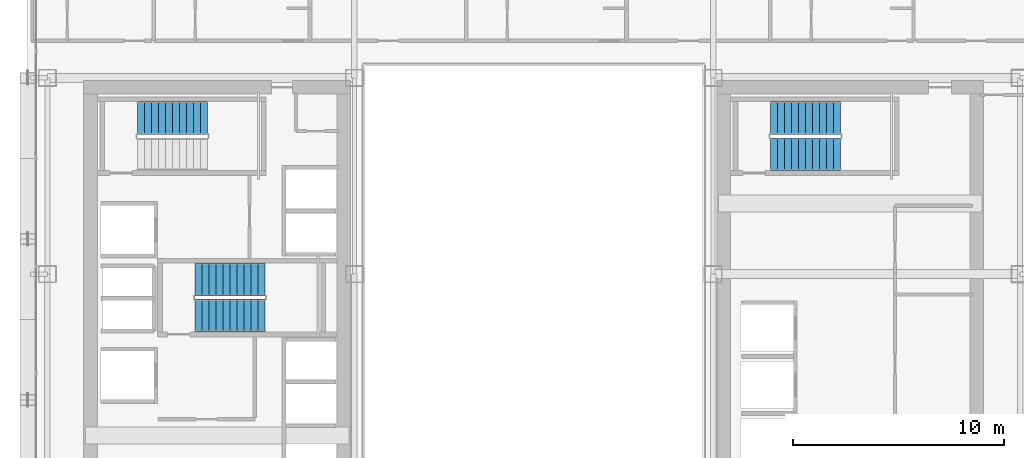
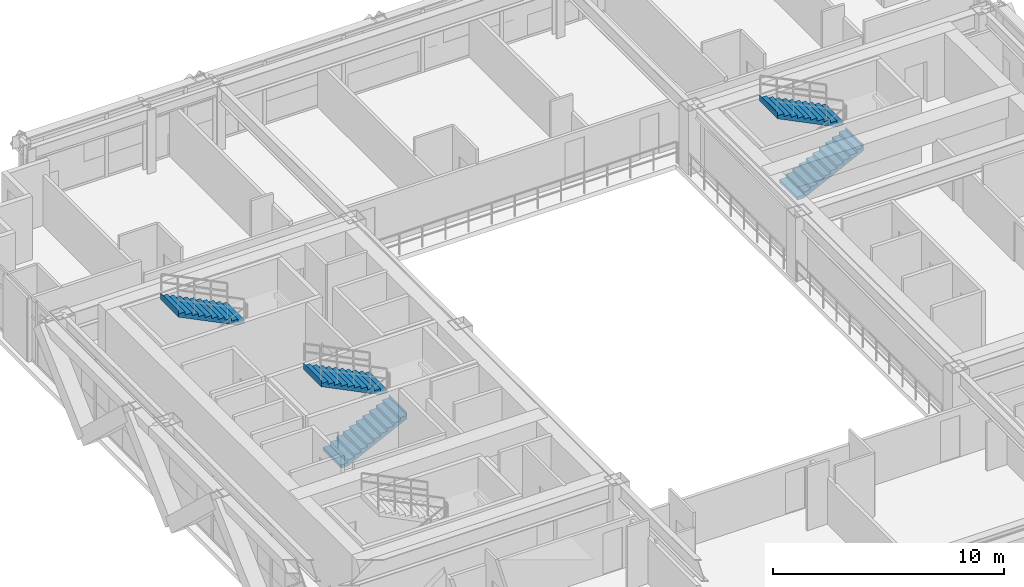
# One storey, part 31 of 35: 5 stair flights, 3 elements without a shape of their own.
"""IFC4 building model written with IfcOpenShell, lengths in metres."""

from ifc_helpers import new_model, si_unit, direction, frame, origin, place, context, subcontext, project, spatial, polyline, outline, extrude, source, transform, mapped, material, type_object, element, aggregate, save


model = new_model("IFC4")

# Units and contexts
model_context = context("Model", 3, precision=1e-05, world=origin(), true_north=direction((0.0, 1.0)))
body_context = subcontext(model_context, "Body", "Model", "MODEL_VIEW")
ifc_project = project(units=[si_unit("LENGTHUNIT", "METRE"), si_unit("AREAUNIT", "SQUARE_METRE"), si_unit("VOLUMEUNIT", "CUBIC_METRE"), si_unit("PLANEANGLEUNIT", "RADIAN"), si_unit("MASSUNIT", "GRAM", prefix="KILO")], contexts=[model_context])

# Site, building, storey
site_placement = place(None, origin())
site = spatial("IfcSite", under=ifc_project, at=site_placement, CompositionType="ELEMENT")
building_placement = place(site_placement, origin())
building = spatial("IfcBuilding", under=site, at=building_placement, Name="Ocotamira Hotel", CompositionType="ELEMENT")
storey_placement = place(building_placement, frame((0.0, 0.0, 115.199951171875)))
storey = spatial("IfcBuildingStorey", under=building, at=storey_placement, Name="L28", CompositionType="ELEMENT", Elevation=115.199951171875)

# Stair, stair flight
ifc_material = material(Name="Concrete C40/50", Category="concrete")
stair_type = type_object("IfcStairType", Name="ST-CORE-1560", PredefinedType="HALF_TURN_STAIR", material=ifc_material)
stair_1_placement = place(storey_placement, origin())
stair_1 = element("IfcStair", 1, at=stair_1_placement, inside=storey, type_object=stair_type, Name="L28 Exit Stair ST-2", PredefinedType="HALF_TURN_STAIR")
stair_flight_type = type_object("IfcStairFlightType", Name="STF-CORE-1560", PredefinedType="STRAIGHT", material=ifc_material)
shared_shape = source(origin(), body_context, "Body", "SweptSolid", [
    extrude(outline(polyline([(-0.00390625, 0.0), (-0.00390625, 0.16357421875), (0.330078125, 0.16357421875), (0.330078125, 0.327392578125), (0.659912109375, 0.327392578125), (0.659912109375, 0.490966796875), (0.989990234375, 0.490966796875), (0.989990234375, 0.654541015625), (1.320068359375, 0.654541015625), (1.320068359375, 0.818115234375), (1.64990234375, 0.818115234375), (1.64990234375, 0.98193359375), (1.97998046875, 0.98193359375), (1.97998046875, 1.1455078125), (2.31005859375, 1.1455078125), (2.31005859375, 1.30908203125), (2.639892578125, 1.30908203125), (2.639892578125, 1.47265625), (2.969970703125, 1.47265625), (2.969970703125, 1.636474609375), (3.300048828125, 1.636474609375), (3.300048828125, 1.800048828125), (3.303955078125, 1.800048828125), (3.303955078125, 1.468994140625), (0.33740234375, 0.0), (-0.00390625, 0.0)])), frame((0.0, 0.780029296875, 0.0), z_axis=(0.0, -1.0, 0.0), x_axis=(1.0, 0.0, 0.0)), (0.0, 0.0, 1.0), 1.56005859375),
])
stair_flight_1_placement = place(storey_placement, frame((16.530029296875, 35.550048828125, 1.800048828125), z_axis=(0.0, 0.0, 1.0), x_axis=(-1.0, 0.0, 0.0)))
stair_flight_1 = element("IfcStairFlight", 2, at=stair_flight_1_placement, type_object=stair_flight_type, Name="ST-2 flight 2", NumberOfRisers=11, NumberOfTreads=10, PredefinedType="STRAIGHT", RiserHeight=0.163636364, TreadLength=0.33, context=body_context, shape_type="MappedRepresentation", body=[
    mapped(shared_shape, transform((0.0, 0.0, 0.0), scale=1.0)),
])
aggregate(stair_1, [stair_flight_1])

# Stair, stair flights
stair_2_placement = place(storey_placement, origin())
stair_2 = element("IfcStair", 3, at=stair_2_placement, inside=storey, type_object=stair_type, Name="L28 Exit Stair ST-3", PredefinedType="HALF_TURN_STAIR")
stair_flight_2_placement = place(storey_placement, frame((15.9599609375, 26.179931640625, 0.0), z_axis=(0.0, 0.0, 1.0), x_axis=(1.0, 0.0, 0.0)))
stair_flight_2 = element("IfcStairFlight", 4, at=stair_flight_2_placement, type_object=stair_flight_type, Name="ST-3 flight 1", NumberOfRisers=11, NumberOfTreads=10, PredefinedType="STRAIGHT", RiserHeight=0.163636364, TreadLength=0.33, context=body_context, shape_type="MappedRepresentation", body=[
    mapped(shared_shape, transform((0.0, 0.0, 0.0), scale=1.0)),
])
stair_flight_3_placement = place(storey_placement, frame((19.260009765625, 27.89990234375, 1.800048828125), z_axis=(0.0, 0.0, 1.0), x_axis=(-1.0, 0.0, 0.0)))
stair_flight_3 = element("IfcStairFlight", 5, at=stair_flight_3_placement, type_object=stair_flight_type, Name="ST-3 flight 2", NumberOfRisers=11, NumberOfTreads=10, PredefinedType="STRAIGHT", RiserHeight=0.163636364, TreadLength=0.33, context=body_context, shape_type="MappedRepresentation", body=[
    mapped(shared_shape, transform((0.0, 0.0, 0.0), scale=1.0)),
])
aggregate(stair_2, [stair_flight_2, stair_flight_3])

stair_3_placement = place(storey_placement, origin())
stair_3 = element("IfcStair", 6, at=stair_3_placement, inside=storey, type_object=stair_type, Name="L28 Exit Stair ST-4", PredefinedType="HALF_TURN_STAIR")
stair_flight_4_placement = place(storey_placement, frame((43.22998046875, 33.830078125, 0.0), z_axis=(0.0, 0.0, 1.0), x_axis=(1.0, 0.0, 0.0)))
stair_flight_4 = element("IfcStairFlight", 7, at=stair_flight_4_placement, type_object=stair_flight_type, Name="ST-4 flight 1", NumberOfRisers=11, NumberOfTreads=10, PredefinedType="STRAIGHT", RiserHeight=0.163636364, TreadLength=0.33, context=body_context, shape_type="MappedRepresentation", body=[
    mapped(shared_shape, transform((0.0, 0.0, 0.0), scale=1.0)),
])
stair_flight_5_placement = place(storey_placement, frame((46.530029296875, 35.550048828125, 1.800048828125), z_axis=(0.0, 0.0, 1.0), x_axis=(-1.0, 0.0, 0.0)))
stair_flight_5 = element("IfcStairFlight", 8, at=stair_flight_5_placement, type_object=stair_flight_type, Name="ST-4 flight 2", NumberOfRisers=11, NumberOfTreads=10, PredefinedType="STRAIGHT", RiserHeight=0.163636364, TreadLength=0.33, context=body_context, shape_type="MappedRepresentation", body=[
    mapped(shared_shape, transform((0.0, 0.0, 0.0), scale=1.0)),
])
aggregate(stair_3, [stair_flight_4, stair_flight_5])

save(model, "model.ifc")
